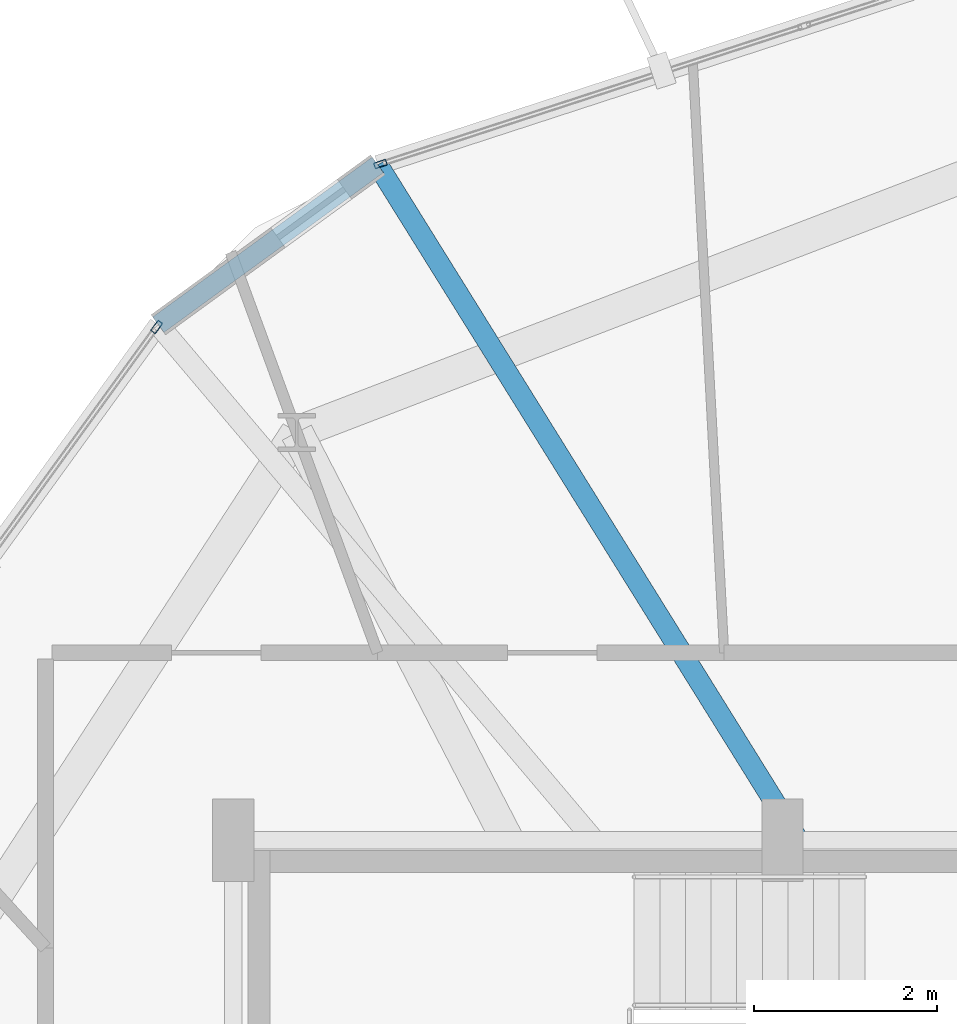
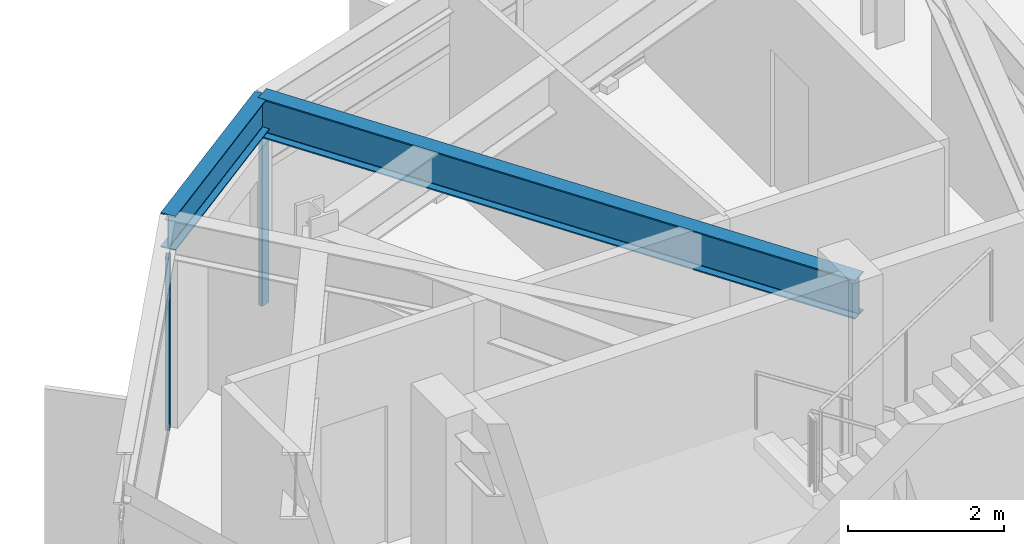
# One storey, part 19 of 31: 2 beams, 2 members, 2 elements without a shape of their own.
"""IFC4 building model written with IfcOpenShell, lengths in metres."""

from ifc_helpers import new_model, si_unit, direction, frame, origin, origin_2d, place, context, subcontext, project, spatial, hollow_rectangle, i_section, extrude, material, layer, layer_set, material_profile, profile_set, type_object, element, aggregate, save


model = new_model("IFC4")

# Units and contexts
model_context = context("Model", 3, precision=1e-05, world=origin(), true_north=direction((0.0, 1.0)))
body_context = subcontext(model_context, "Body", "Model", "MODEL_VIEW")
ifc_project = project(units=[si_unit("LENGTHUNIT", "METRE"), si_unit("AREAUNIT", "SQUARE_METRE"), si_unit("VOLUMEUNIT", "CUBIC_METRE"), si_unit("PLANEANGLEUNIT", "RADIAN"), si_unit("MASSUNIT", "GRAM", prefix="KILO")], contexts=[model_context])

# Site, building, storey
site_placement = place(None, origin())
site = spatial("IfcSite", under=ifc_project, at=site_placement, CompositionType="ELEMENT")
building_placement = place(site_placement, origin())
building = spatial("IfcBuilding", under=site, at=building_placement, Name="Soratama Intermodal Tower", CompositionType="ELEMENT")
storey_placement = place(building_placement, frame((0.0, 0.0, 230.199951171875)))
storey = spatial("IfcBuildingStorey", under=building, at=storey_placement, Name="L58", CompositionType="ELEMENT", Elevation=230.199951171875)

# Beams
ifc_material_1 = material(Name="Structural steel ASTM A992 Grade 50", Category="steel")
ifc_material_profile_1 = material_profile(ifc_material_1, i_section(OverallWidth=0.2099609375, OverallDepth=0.537109375, WebThickness=0.010986328125, FlangeThickness=0.017333984375, FilletRadius=0.012939453125, at=origin_2d()), Name="W21X68")
ifc_profile_set_1 = profile_set([ifc_material_profile_1], Name="Structural steel ASTM A992 Grade 50")
beam_type_1 = type_object("IfcBeamType", Name="BM-SPN-W21X68", PredefinedType="SPANDREL", material=ifc_profile_set_1)
beam_1_placement = place(storey_placement, frame((34.179931640625, 42.37890625, 3.031494140625), z_axis=(-0.808433438207, -0.58858761114, 0.0), x_axis=(0.58858761114, -0.808433438207, 0.0)))
element("IfcBeam", 1, at=beam_1_placement, inside=storey, type_object=beam_type_1, Name="BS-L58-CRN02", PredefinedType="SPANDREL", context=body_context, shape_type="SweptSolid", body=[
    extrude(i_section(OverallWidth=0.2099609375, OverallDepth=0.537109375, WebThickness=0.010986328125, FlangeThickness=0.017333984375, FilletRadius=0.012939453125, at=origin_2d()), origin(), (0.0, 0.0, 1.0), 2.966064453125),
])
ifc_material_2 = material(Name="Structural steel ASTM A992 Grade 50", Category="steel")
ifc_material_profile_2 = material_profile(ifc_material_2, i_section(OverallWidth=0.22900390625, OverallDepth=0.612060546875, WebThickness=0.011962890625, FlangeThickness=0.01953125, FilletRadius=0.012939453125, at=origin_2d()), Name="W24X84")
ifc_profile_set_2 = profile_set([ifc_material_profile_2], Name="Structural steel ASTM A992 Grade 50")
beam_type_2 = type_object("IfcBeamType", Name="BM-TIE-W24X84", PredefinedType="BEAM", material=ifc_profile_set_2)
beam_2_placement = place(storey_placement, frame((38.7529296875, 35.033935546875, 2.994140625), z_axis=(-0.528534665616, 0.848911719345, 0.0), x_axis=(-0.848911719345, -0.528534665616, 0.0)))
element("IfcBeam", 2, at=beam_2_placement, inside=storey, type_object=beam_type_2, Name="BM-L58-TIE1-02", PredefinedType="BEAM", context=body_context, shape_type="SweptSolid", body=[
    extrude(i_section(OverallWidth=0.22900390625, OverallDepth=0.612060546875, WebThickness=0.011962890625, FlangeThickness=0.01953125, FilletRadius=0.012939453125, at=origin_2d()), origin(), (0.0, 0.0, 1.0), 8.652099609375),
])

# Curtain wall, member
ifc_material_3 = material(Name="Double-glazed aluminium curtain wall", Category="aluminium")
ifc_layer = layer(ifc_material_3, 0.159912109375)
ifc_layer_set = layer_set([ifc_layer], Name="Double-glazed aluminium curtain wall")
curtain_wall_type = type_object("IfcCurtainWallType", Name="CW-SYS-5", PredefinedType="NOTDEFINED", material=ifc_layer_set)
curtain_wall_1_placement = place(storey_placement, origin())
curtain_wall_1 = element("IfcCurtainWall", 3, at=curtain_wall_1_placement, inside=storey, type_object=curtain_wall_type, Name="L58 Faceted Curtain Wall F02", PredefinedType="NOTDEFINED")
ifc_material_4 = material(Name="Anodised aluminium AA 6063-T6", Category="aluminium")
ifc_material_profile_3 = material_profile(ifc_material_4, hollow_rectangle(XDim=0.06494140625, YDim=0.139892578125, WallThickness=0.0048828125, InnerFilletRadius=0.0048828125, OuterFilletRadius=0.010009765625, at=origin_2d()), Name="CWM140X65X5")
ifc_profile_set_3 = profile_set([ifc_material_profile_3], Name="Anodised aluminium AA 6063-T6")
member_type = type_object("IfcMemberType", Name="MT-CWM-5", PredefinedType="MULLION", material=ifc_profile_set_3)
member_1_placement = place(storey_placement, frame((34.208984375, 42.388427734375, 0.0), z_axis=(0.0, 0.0, 1.0), x_axis=(0.310014382585, -0.950731866822, 0.0)))
member_1 = element("IfcMember", 4, at=member_1_placement, type_object=member_type, Name="CW-5 mullion 3", PredefinedType="MULLION", context=body_context, shape_type="SweptSolid", body=[
    extrude(hollow_rectangle(XDim=0.06494140625, YDim=0.139892578125, WallThickness=0.0048828125, InnerFilletRadius=0.0048828125, OuterFilletRadius=0.010009765625, at=origin_2d()), origin(), (0.0, 0.0, 1.0), 2.678955078125),
])
aggregate(curtain_wall_1, [member_1])

curtain_wall_2_placement = place(storey_placement, origin())
curtain_wall_2 = element("IfcCurtainWall", 5, at=curtain_wall_2_placement, inside=storey, type_object=curtain_wall_type, Name="L58 Faceted Curtain Wall F03", PredefinedType="NOTDEFINED")
member_2_placement = place(storey_placement, frame((31.7646484375, 40.608642578125, 0.0), z_axis=(0.0, 0.0, 1.0), x_axis=(0.80963287542, -0.586936629492, 0.0)))
member_2 = element("IfcMember", 6, at=member_2_placement, type_object=member_type, Name="CW-5 mullion 1", PredefinedType="MULLION", context=body_context, shape_type="SweptSolid", body=[
    extrude(hollow_rectangle(XDim=0.06494140625, YDim=0.139892578125, WallThickness=0.0048828125, InnerFilletRadius=0.0048828125, OuterFilletRadius=0.010009765625, at=origin_2d()), origin(), (0.0, 0.0, 1.0), 2.678955078125),
])
aggregate(curtain_wall_2, [member_2])

save(model, "model.ifc")
